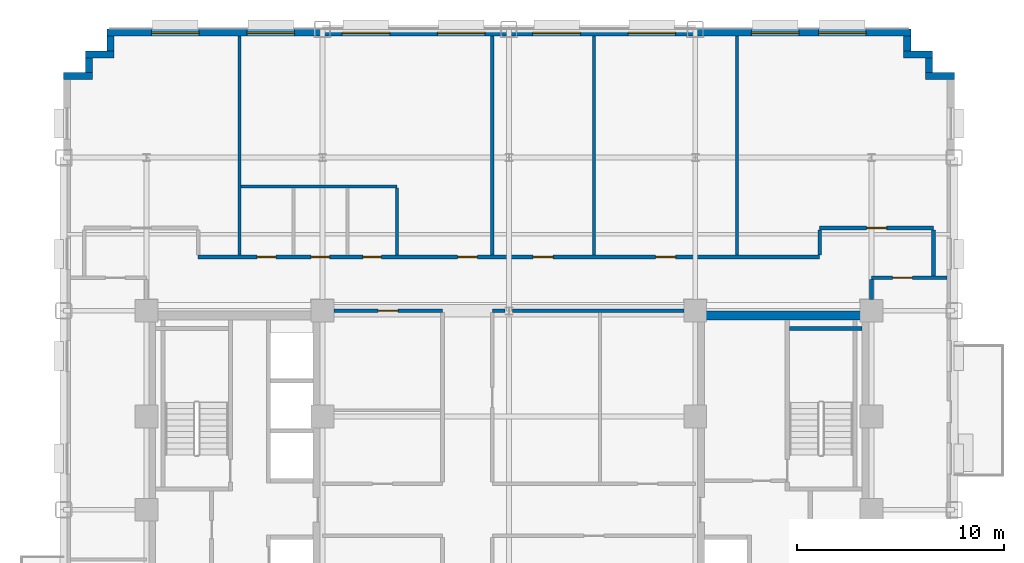
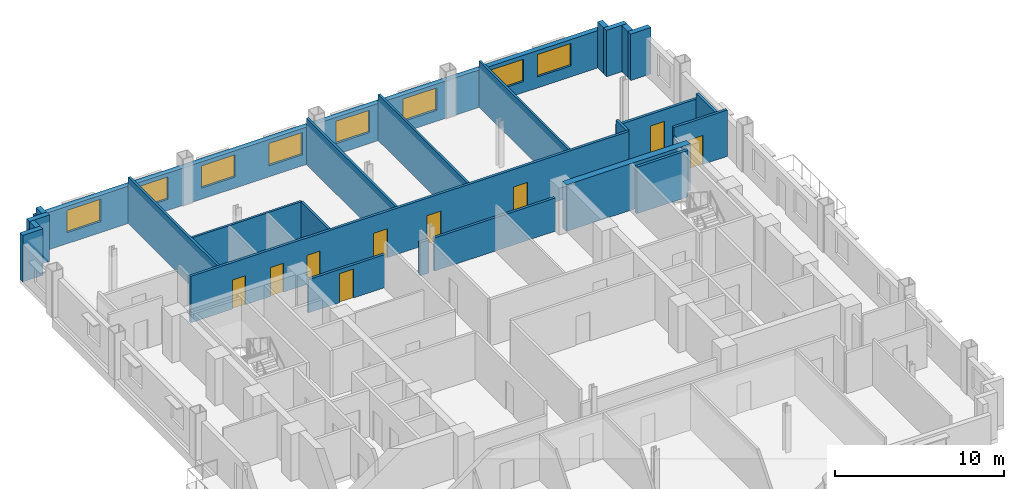
# One storey, part 9 of 14: 26 walls, 9 doors, 8 windows, 17 openings.
"""IFC4 building model written with IfcOpenShell, lengths in metres."""

from ifc_helpers import new_model, si_unit, direction, frame, frame_2d, origin, place, context, subcontext, project, spatial, rectangle, extrude, source, transform, mapped, material, layer, layer_set, type_object, type_shapes, element, fill, save


model = new_model("IFC4")

# Units and contexts
model_context = context("Model", 3, precision=1e-05, world=origin(), true_north=direction((0.0, 1.0)))
body_context = subcontext(model_context, "Body", "Model", "MODEL_VIEW")
ifc_project = project(units=[si_unit("LENGTHUNIT", "METRE"), si_unit("AREAUNIT", "SQUARE_METRE"), si_unit("VOLUMEUNIT", "CUBIC_METRE"), si_unit("PLANEANGLEUNIT", "RADIAN"), si_unit("MASSUNIT", "GRAM", prefix="KILO")], contexts=[model_context])

# Site, building, storey
site_placement = place(None, origin())
site = spatial("IfcSite", under=ifc_project, at=site_placement, CompositionType="ELEMENT")
building_placement = place(site_placement, origin())
building = spatial("IfcBuilding", under=site, at=building_placement, Name="Nuvemarco Arch Tower", CompositionType="ELEMENT")
storey_placement = place(building_placement, frame((0.0, 0.0, 71.39990234375)))
storey = spatial("IfcBuildingStorey", under=building, at=storey_placement, Name="L18", CompositionType="ELEMENT", Elevation=71.39990234375)

# Walls
ifc_material_1 = material(Name="Precast concrete C45/55", Category="concrete")
ifc_layer_1 = layer(ifc_material_1, 0.340087890625, Name="EW-LOW-340")
ifc_layer_set_1 = layer_set([ifc_layer_1], Name="Precast concrete C45/55")
wall_type_1 = type_object("IfcWallType", Name="EW-LOW-340", PredefinedType="STANDARD", material=ifc_layer_set_1)
wall_1_placement = place(storey_placement, frame((20.110107421875, 20.929931640625, 0.0), z_axis=(0.0, 0.0, 1.0), x_axis=(1.0, 0.0, 0.0)))
element("IfcWall", 1, at=wall_1_placement, inside=storey, type_object=wall_type_1, Name="L18 exterior precast facade wall 7", PredefinedType="STANDARD", context=body_context, shape_type="SweptSolid", body=[
    extrude(rectangle(XDim=1.389892578125, YDim=0.340087890625, at=frame_2d((0.69482421875, 0.0))), origin(), (0.0, 0.0, 1.0), 3.360107421875),
])
wall_2_placement = place(storey_placement, frame((20.280029296875, 21.095947265625, 0.0), z_axis=(0.0, 0.0, 1.0), x_axis=(0.0, 1.0, 0.0)))
element("IfcWall", 2, at=wall_2_placement, inside=storey, type_object=wall_type_1, Name="L18 exterior precast facade wall 8", PredefinedType="STANDARD", context=body_context, shape_type="SweptSolid", body=[
    extrude(rectangle(XDim=0.718017578125, YDim=0.340087890625, at=frame_2d((0.35888671875, 0.0))), origin(), (0.0, 0.0, 1.0), 3.360107421875),
])
wall_3_placement = place(storey_placement, frame((19.06005859375, 21.97998046875, 0.0), z_axis=(0.0, 0.0, 1.0), x_axis=(1.0, 0.0, 0.0)))
element("IfcWall", 3, at=wall_3_placement, inside=storey, type_object=wall_type_1, Name="L18 exterior precast facade wall 9", PredefinedType="STANDARD", context=body_context, shape_type="SweptSolid", body=[
    extrude(rectangle(XDim=1.389892578125, YDim=0.340087890625, at=frame_2d((0.69482421875, 0.0))), origin(), (0.0, 0.0, 1.0), 3.360107421875),
])
wall_4_placement = place(storey_placement, frame((19.22998046875, 22.14599609375, 0.0), z_axis=(0.0, 0.0, 1.0), x_axis=(0.0, 1.0, 0.0)))
element("IfcWall", 4, at=wall_4_placement, inside=storey, type_object=wall_type_1, Name="L18 exterior precast facade wall 10", PredefinedType="STANDARD", context=body_context, shape_type="SweptSolid", body=[
    extrude(rectangle(XDim=0.718017578125, YDim=0.340087890625, at=frame_2d((0.35888671875, 0.0))), origin(), (0.0, 0.0, 1.0), 3.360107421875),
])

# Wall, openings, windows
wall_5_placement = place(storey_placement, frame((-19.39990234375, 23.030029296875, 0.0), z_axis=(0.0, 0.0, 1.0), x_axis=(1.0, 0.0, 0.0)))
wall_5 = element("IfcWall", 5, at=wall_5_placement, inside=storey, type_object=wall_type_1, Name="L18 exterior precast facade wall 11", PredefinedType="STANDARD", context=body_context, shape_type="SweptSolid", body=[
    extrude(rectangle(XDim=38.7998046875, YDim=0.340087890625, at=frame_2d((19.39990234375, 0.0))), origin(), (0.0, 0.0, 1.0), 2.705078125),
])
opening_1_placement = place(wall_5_placement, frame((2.14990234375, 0.0, 0.800048828125)))
opening_1 = element("IfcOpeningElement", 6, at=opening_1_placement, cuts=wall_5, Name="Opening WN-10", PredefinedType="OPENING", context=body_context, shape_type="SweptSolid", body=[
    extrude(rectangle(XDim=2.300048828125, YDim=1.6201171875, at=frame_2d((1.14990234375, 0.81005859375))), frame((0.0, 0.179931640625, 0.0), z_axis=(0.0, -1.0, 0.0), x_axis=(1.0, 0.0, 0.0)), (0.0, 0.0, 1.0), 0.360107421875),
])
opening_2_placement = place(wall_5_placement, frame((6.75, 0.0, 0.800048828125)))
opening_2 = element("IfcOpeningElement", 7, at=opening_2_placement, cuts=wall_5, Name="Opening WN-10", PredefinedType="OPENING", context=body_context, shape_type="SweptSolid", body=[
    extrude(rectangle(XDim=2.300048828125, YDim=1.6201171875, at=frame_2d((1.14990234375, 0.81005859375))), frame((0.0, 0.179931640625, 0.0), z_axis=(0.0, -1.0, 0.0), x_axis=(1.0, 0.0, 0.0)), (0.0, 0.0, 1.0), 0.360107421875),
])
opening_3_placement = place(wall_5_placement, frame((11.35009765625, 0.0, 0.800048828125)))
opening_3 = element("IfcOpeningElement", 8, at=opening_3_placement, cuts=wall_5, Name="Opening WN-10", PredefinedType="OPENING", context=body_context, shape_type="SweptSolid", body=[
    extrude(rectangle(XDim=2.300048828125, YDim=1.6201171875, at=frame_2d((1.14990234375, 0.81005859375))), frame((0.0, 0.179931640625, 0.0), z_axis=(0.0, -1.0, 0.0), x_axis=(1.0, 0.0, 0.0)), (0.0, 0.0, 1.0), 0.360107421875),
])
opening_4_placement = place(wall_5_placement, frame((15.949951171875, 0.0, 0.800048828125)))
opening_4 = element("IfcOpeningElement", 9, at=opening_4_placement, cuts=wall_5, Name="Opening WN-10", PredefinedType="OPENING", context=body_context, shape_type="SweptSolid", body=[
    extrude(rectangle(XDim=2.300048828125, YDim=1.6201171875, at=frame_2d((1.14990234375, 0.81005859375))), frame((0.0, 0.179931640625, 0.0), z_axis=(0.0, -1.0, 0.0), x_axis=(1.0, 0.0, 0.0)), (0.0, 0.0, 1.0), 0.360107421875),
])
opening_5_placement = place(wall_5_placement, frame((20.550048828125, 0.0, 0.800048828125)))
opening_5 = element("IfcOpeningElement", 10, at=opening_5_placement, cuts=wall_5, Name="Opening WN-10", PredefinedType="OPENING", context=body_context, shape_type="SweptSolid", body=[
    extrude(rectangle(XDim=2.300048828125, YDim=1.6201171875, at=frame_2d((1.14990234375, 0.81005859375))), frame((0.0, 0.179931640625, 0.0), z_axis=(0.0, -1.0, 0.0), x_axis=(1.0, 0.0, 0.0)), (0.0, 0.0, 1.0), 0.360107421875),
])
opening_6_placement = place(wall_5_placement, frame((25.14990234375, 0.0, 0.800048828125)))
opening_6 = element("IfcOpeningElement", 11, at=opening_6_placement, cuts=wall_5, Name="Opening WN-10", PredefinedType="OPENING", context=body_context, shape_type="SweptSolid", body=[
    extrude(rectangle(XDim=2.300048828125, YDim=1.6201171875, at=frame_2d((1.14990234375, 0.81005859375))), frame((0.0, 0.179931640625, 0.0), z_axis=(0.0, -1.0, 0.0), x_axis=(1.0, 0.0, 0.0)), (0.0, 0.0, 1.0), 0.360107421875),
])
opening_7_placement = place(wall_5_placement, frame((31.10009765625, 0.0, 0.800048828125)))
opening_7 = element("IfcOpeningElement", 12, at=opening_7_placement, cuts=wall_5, Name="Opening WN-10", PredefinedType="OPENING", context=body_context, shape_type="SweptSolid", body=[
    extrude(rectangle(XDim=2.300048828125, YDim=1.6201171875, at=frame_2d((1.14990234375, 0.81005859375))), frame((0.0, 0.179931640625, 0.0), z_axis=(0.0, -1.0, 0.0), x_axis=(1.0, 0.0, 0.0)), (0.0, 0.0, 1.0), 0.360107421875),
])
opening_8_placement = place(wall_5_placement, frame((34.35009765625, 0.0, 0.800048828125)))
opening_8 = element("IfcOpeningElement", 13, at=opening_8_placement, cuts=wall_5, Name="Opening WN-10", PredefinedType="OPENING", context=body_context, shape_type="SweptSolid", body=[
    extrude(rectangle(XDim=2.300048828125, YDim=1.6201171875, at=frame_2d((1.14990234375, 0.81005859375))), frame((0.0, 0.179931640625, 0.0), z_axis=(0.0, -1.0, 0.0), x_axis=(1.0, 0.0, 0.0)), (0.0, 0.0, 1.0), 0.360107421875),
])
ifc_material_2 = material(Name="Insulated solar-control glass", Category="glass")
window_type = type_object("IfcWindowType", Name="WN-STEP-2300x1700", PartitioningType="DOUBLE_PANEL_VERTICAL", PredefinedType="WINDOW", material=ifc_material_2)
shared_shape_1 = source(origin(), body_context, "Body", "SweptSolid", [
    extrude(rectangle(XDim=2.300048828125, YDim=1.6201171875, at=frame_2d((1.14990234375, 0.81005859375))), frame((0.0, 0.030029296875, 0.0), z_axis=(0.0, -1.0, 0.0), x_axis=(1.0, 0.0, 0.0)), (0.0, 0.0, 1.0), 0.06005859375),
])
type_shapes(window_type, [shared_shape_1])
window_1_placement = place(opening_1_placement, origin())
window_1 = element("IfcWindow", 14, at=window_1_placement, inside=storey, type_object=window_type, Name="L18 punched facade window 1", OverallHeight=1.6201171875, OverallWidth=2.300048828125, PartitioningType="SINGLE_PANEL", PredefinedType="WINDOW", context=body_context, shape_type="MappedRepresentation", body=[
    mapped(shared_shape_1, transform((0.0, 0.0, 0.0), scale=1.0)),
])
fill(opening_1, window_1)
window_2_placement = place(opening_2_placement, origin())
window_2 = element("IfcWindow", 15, at=window_2_placement, inside=storey, type_object=window_type, Name="L18 punched facade window 2", OverallHeight=1.6201171875, OverallWidth=2.300048828125, PartitioningType="SINGLE_PANEL", PredefinedType="WINDOW", context=body_context, shape_type="MappedRepresentation", body=[
    mapped(shared_shape_1, transform((0.0, 0.0, 0.0), scale=1.0)),
])
fill(opening_2, window_2)
window_3_placement = place(opening_3_placement, origin())
window_3 = element("IfcWindow", 16, at=window_3_placement, inside=storey, type_object=window_type, Name="L18 punched facade window 3", OverallHeight=1.6201171875, OverallWidth=2.300048828125, PartitioningType="SINGLE_PANEL", PredefinedType="WINDOW", context=body_context, shape_type="MappedRepresentation", body=[
    mapped(shared_shape_1, transform((0.0, 0.0, 0.0), scale=1.0)),
])
fill(opening_3, window_3)
window_4_placement = place(opening_4_placement, origin())
window_4 = element("IfcWindow", 17, at=window_4_placement, inside=storey, type_object=window_type, Name="L18 punched facade window 4", OverallHeight=1.6201171875, OverallWidth=2.300048828125, PartitioningType="SINGLE_PANEL", PredefinedType="WINDOW", context=body_context, shape_type="MappedRepresentation", body=[
    mapped(shared_shape_1, transform((0.0, 0.0, 0.0), scale=1.0)),
])
fill(opening_4, window_4)
window_5_placement = place(opening_5_placement, origin())
window_5 = element("IfcWindow", 18, at=window_5_placement, inside=storey, type_object=window_type, Name="L18 punched facade window 5", OverallHeight=1.6201171875, OverallWidth=2.300048828125, PartitioningType="SINGLE_PANEL", PredefinedType="WINDOW", context=body_context, shape_type="MappedRepresentation", body=[
    mapped(shared_shape_1, transform((0.0, 0.0, 0.0), scale=1.0)),
])
fill(opening_5, window_5)
window_6_placement = place(opening_6_placement, origin())
window_6 = element("IfcWindow", 19, at=window_6_placement, inside=storey, type_object=window_type, Name="L18 punched facade window 6", OverallHeight=1.6201171875, OverallWidth=2.300048828125, PartitioningType="SINGLE_PANEL", PredefinedType="WINDOW", context=body_context, shape_type="MappedRepresentation", body=[
    mapped(shared_shape_1, transform((0.0, 0.0, 0.0), scale=1.0)),
])
fill(opening_6, window_6)
window_7_placement = place(opening_7_placement, origin())
window_7 = element("IfcWindow", 20, at=window_7_placement, inside=storey, type_object=window_type, Name="L18 punched facade window 7", OverallHeight=1.6201171875, OverallWidth=2.300048828125, PartitioningType="SINGLE_PANEL", PredefinedType="WINDOW", context=body_context, shape_type="MappedRepresentation", body=[
    mapped(shared_shape_1, transform((0.0, 0.0, 0.0), scale=1.0)),
])
fill(opening_7, window_7)
window_8_placement = place(opening_8_placement, origin())
window_8 = element("IfcWindow", 21, at=window_8_placement, inside=storey, type_object=window_type, Name="L18 punched facade window 8", OverallHeight=1.6201171875, OverallWidth=2.300048828125, PartitioningType="SINGLE_PANEL", PredefinedType="WINDOW", context=body_context, shape_type="MappedRepresentation", body=[
    mapped(shared_shape_1, transform((0.0, 0.0, 0.0), scale=1.0)),
])
fill(opening_8, window_8)

# Walls
wall_6_placement = place(storey_placement, frame((-19.22998046875, 22.14599609375, 0.0), z_axis=(0.0, 0.0, 1.0), x_axis=(0.0, 1.0, 0.0)))
element("IfcWall", 22, at=wall_6_placement, inside=storey, type_object=wall_type_1, Name="L18 exterior precast facade wall 12", PredefinedType="STANDARD", context=body_context, shape_type="SweptSolid", body=[
    extrude(rectangle(XDim=0.718017578125, YDim=0.340087890625, at=frame_2d((0.35888671875, 0.0))), origin(), (0.0, 0.0, 1.0), 3.360107421875),
])
wall_7_placement = place(storey_placement, frame((-20.449951171875, 21.97998046875, 0.0), z_axis=(0.0, 0.0, 1.0), x_axis=(1.0, 0.0, 0.0)))
element("IfcWall", 23, at=wall_7_placement, inside=storey, type_object=wall_type_1, Name="L18 exterior precast facade wall 13", PredefinedType="STANDARD", context=body_context, shape_type="SweptSolid", body=[
    extrude(rectangle(XDim=1.389892578125, YDim=0.340087890625, at=frame_2d((0.69482421875, 0.0))), origin(), (0.0, 0.0, 1.0), 3.360107421875),
])
wall_8_placement = place(storey_placement, frame((-20.280029296875, 21.095947265625, 0.0), z_axis=(0.0, 0.0, 1.0), x_axis=(0.0, 1.0, 0.0)))
element("IfcWall", 24, at=wall_8_placement, inside=storey, type_object=wall_type_1, Name="L18 exterior precast facade wall 14", PredefinedType="STANDARD", context=body_context, shape_type="SweptSolid", body=[
    extrude(rectangle(XDim=0.718017578125, YDim=0.340087890625, at=frame_2d((0.35888671875, 0.0))), origin(), (0.0, 0.0, 1.0), 3.360107421875),
])
wall_9_placement = place(storey_placement, frame((-21.5, 20.929931640625, 0.0), z_axis=(0.0, 0.0, 1.0), x_axis=(1.0, 0.0, 0.0)))
element("IfcWall", 25, at=wall_9_placement, inside=storey, type_object=wall_type_1, Name="L18 exterior precast facade wall 15", PredefinedType="STANDARD", context=body_context, shape_type="SweptSolid", body=[
    extrude(rectangle(XDim=1.389892578125, YDim=0.340087890625, at=frame_2d((0.69482421875, 0.0))), origin(), (0.0, 0.0, 1.0), 3.360107421875),
])
ifc_material_3 = material(Name="Concrete C60/75", Category="concrete")
ifc_layer_2 = layer(ifc_material_3, 0.449951171875, Name="WL-CORE-450")
ifc_layer_set_2 = layer_set([ifc_layer_2], Name="Concrete C60/75")
wall_type_2 = type_object("IfcWallType", Name="WL-CORE-450", PredefinedType="SHEAR", material=ifc_layer_set_2)
wall_10_placement = place(storey_placement, frame((9.0, 9.375, 0.0), z_axis=(0.0, 0.0, 1.0), x_axis=(1.0, 0.0, 0.0)))
element("IfcWall", 26, at=wall_10_placement, inside=storey, type_object=wall_type_2, Name="L18 E-core shear wall N", PredefinedType="SHEAR", context=body_context, shape_type="SweptSolid", body=[
    extrude(rectangle(XDim=8.5, YDim=0.449951171875, at=frame_2d((4.25, 0.0))), origin(), (0.0, 0.0, 1.0), 3.3701171875),
])

# Wall, opening, door
ifc_material_4 = material(Name="Fire-rated gypsum drywall partition")
ifc_layer_3 = layer(ifc_material_4, 0.179931640625, Name="WL-CORR-180")
ifc_layer_set_3 = layer_set([ifc_layer_3], Name="Fire-rated gypsum drywall partition")
wall_type_3 = type_object("IfcWallType", Name="WL-CORR-180", PredefinedType="PARTITIONING", material=ifc_layer_set_3)
wall_11_placement = place(storey_placement, frame((-8.4541015625, 9.60009765625, 0.0), z_axis=(0.0, 0.0, 1.0), x_axis=(1.0, 0.0, 0.0)))
wall_11 = element("IfcWall", 27, at=wall_11_placement, inside=storey, type_object=wall_type_3, Name="L18 interior wall IW-L18-015", PredefinedType="PARTITIONING", context=body_context, shape_type="SweptSolid", body=[
    extrude(rectangle(XDim=5.254150390625, YDim=0.179931640625, at=frame_2d((2.626953125, 0.0))), origin(), (0.0, 0.0, 1.0), 2.405029296875),
])
opening_9_placement = place(wall_11_placement, frame((2.14697265625, 0.0, 0.0)))
opening_9 = element("IfcOpeningElement", 28, at=opening_9_placement, cuts=wall_11, Name="Opening FD-5", PredefinedType="OPENING", context=body_context, shape_type="SweptSolid", body=[
    extrude(rectangle(XDim=0.9599609375, YDim=2.10009765625, at=frame_2d((0.47998046875, 1.050048828125))), frame((0.0, 0.099853515625, 0.0), z_axis=(0.0, -1.0, 0.0), x_axis=(1.0, 0.0, 0.0)), (0.0, 0.0, 1.0), 0.199951171875),
])
ifc_material_5 = material(Name="Timber fire door", Category="wood")
door_type_1 = type_object("IfcDoorType", Name="DR-CORR-FD", OperationType="NOTDEFINED", PredefinedType="DOOR", material=ifc_material_5)
shared_shape_2 = source(origin(), body_context, "Body", "SweptSolid", [
    extrude(rectangle(XDim=0.9599609375, YDim=2.10009765625, at=frame_2d((0.47998046875, 1.050048828125))), frame((0.0, 0.02490234375, 0.0), z_axis=(0.0, -1.0, 0.0), x_axis=(1.0, 0.0, 0.0)), (0.0, 0.0, 1.0), 0.050048828125),
])
type_shapes(door_type_1, [shared_shape_2])
door_1_placement = place(opening_9_placement, origin())
door_1 = element("IfcDoor", 29, at=door_1_placement, inside=storey, type_object=door_type_1, Name="L18 door DR-L18-C_NW2", OperationType="SINGLE_SWING_LEFT", OverallHeight=2.10009765625, OverallWidth=0.9599609375, PredefinedType="DOOR", context=body_context, shape_type="MappedRepresentation", body=[
    mapped(shared_shape_2, transform((0.0, 0.0, 0.0), scale=1.0)),
])
fill(opening_9, door_1)

# Walls
wall_12_placement = place(storey_placement, frame((-0.800048828125, 9.60009765625, 0.0), z_axis=(0.0, 0.0, 1.0), x_axis=(1.0, 0.0, 0.0)))
element("IfcWall", 30, at=wall_12_placement, inside=storey, type_object=wall_type_3, Name="L18 interior wall IW-L18-016", PredefinedType="PARTITIONING", context=body_context, shape_type="SweptSolid", body=[
    extrude(rectangle(XDim=0.6240234375, YDim=0.179931640625, at=frame_2d((0.31201171875, 0.0))), origin(), (0.0, 0.0, 1.0), 2.405029296875),
])
wall_13_placement = place(storey_placement, frame((0.176025390625, 9.60009765625, 0.0), z_axis=(0.0, 0.0, 1.0), x_axis=(1.0, 0.0, 0.0)))
element("IfcWall", 31, at=wall_13_placement, inside=storey, type_object=wall_type_3, Name="L18 interior wall IW-L18-017", PredefinedType="PARTITIONING", context=body_context, shape_type="SweptSolid", body=[
    extrude(rectangle(XDim=8.278076171875, YDim=0.179931640625, at=frame_2d((4.13916015625, 0.0))), origin(), (0.0, 0.0, 1.0), 2.405029296875),
])

# Wall, opening, door
wall_14_placement = place(storey_placement, frame((17.5, 11.199951171875, 0.0), z_axis=(0.0, 0.0, 1.0), x_axis=(1.0, 0.0, 0.0)))
wall_14 = element("IfcWall", 32, at=wall_14_placement, inside=storey, type_object=wall_type_3, Name="L18 interior wall IW-L18-019", PredefinedType="PARTITIONING", context=body_context, shape_type="SweptSolid", body=[
    extrude(rectangle(XDim=3.659912109375, YDim=0.179931640625, at=frame_2d((1.830078125, 0.0))), origin(), (0.0, 0.0, 1.0), 3.360107421875),
])
opening_10_placement = place(wall_14_placement, frame((1.02001953125, 0.0, 0.0)))
opening_10 = element("IfcOpeningElement", 33, at=opening_10_placement, cuts=wall_14, Name="Opening FD-5", PredefinedType="OPENING", context=body_context, shape_type="SweptSolid", body=[
    extrude(rectangle(XDim=0.9599609375, YDim=2.10009765625, at=frame_2d((0.47998046875, 1.050048828125))), frame((0.0, 0.099853515625, 0.0), z_axis=(0.0, -1.0, 0.0), x_axis=(1.0, 0.0, 0.0)), (0.0, 0.0, 1.0), 0.199951171875),
])
door_2_placement = place(opening_10_placement, origin())
door_2 = element("IfcDoor", 34, at=door_2_placement, inside=storey, type_object=door_type_1, Name="L18 door DR-L18-E_1", OperationType="SINGLE_SWING_LEFT", OverallHeight=2.10009765625, OverallWidth=0.9599609375, PredefinedType="DOOR", context=body_context, shape_type="MappedRepresentation", body=[
    mapped(shared_shape_2, transform((0.0, 0.0, 0.0), scale=1.0)),
])
fill(opening_10, door_2)

# Wall, openings, doors
wall_15_placement = place(storey_placement, frame((-15.0, 12.199951171875, 0.0), z_axis=(0.0, 0.0, 1.0), x_axis=(1.0, 0.0, 0.0)))
wall_15 = element("IfcWall", 35, at=wall_15_placement, inside=storey, type_object=wall_type_3, Name="L18 interior wall IW-L18-020", PredefinedType="PARTITIONING", context=body_context, shape_type="SweptSolid", body=[
    extrude(rectangle(XDim=30.0, YDim=0.179931640625, at=frame_2d((15.0, 0.0))), origin(), (0.0, 0.0, 1.0), 3.360107421875),
])
opening_11_placement = place(wall_15_placement, frame((22.0849609375, 0.0, 0.0)))
opening_11 = element("IfcOpeningElement", 36, at=opening_11_placement, cuts=wall_15, Name="Opening FD-5", PredefinedType="OPENING", context=body_context, shape_type="SweptSolid", body=[
    extrude(rectangle(XDim=0.9599609375, YDim=2.10009765625, at=frame_2d((0.47998046875, 1.050048828125))), frame((0.0, 0.099853515625, 0.0), z_axis=(0.0, -1.0, 0.0), x_axis=(1.0, 0.0, 0.0)), (0.0, 0.0, 1.0), 0.199951171875),
])
opening_12_placement = place(wall_15_placement, frame((16.175048828125, 0.0, 0.0)))
opening_12 = element("IfcOpeningElement", 37, at=opening_12_placement, cuts=wall_15, Name="Opening FD-5", PredefinedType="OPENING", context=body_context, shape_type="SweptSolid", body=[
    extrude(rectangle(XDim=0.9599609375, YDim=2.10009765625, at=frame_2d((0.47998046875, 1.050048828125))), frame((0.0, 0.099853515625, 0.0), z_axis=(0.0, -1.0, 0.0), x_axis=(1.0, 0.0, 0.0)), (0.0, 0.0, 1.0), 0.199951171875),
])
opening_13_placement = place(wall_15_placement, frame((5.449951171875, 0.0, 0.0)))
opening_13 = element("IfcOpeningElement", 38, at=opening_13_placement, cuts=wall_15, Name="Opening ID-3", PredefinedType="OPENING", context=body_context, shape_type="SweptSolid", body=[
    extrude(rectangle(XDim=0.89990234375, YDim=2.10009765625, at=frame_2d((0.449951171875, 1.050048828125))), frame((0.0, 0.099853515625, 0.0), z_axis=(0.0, -1.0, 0.0), x_axis=(1.0, 0.0, 0.0)), (0.0, 0.0, 1.0), 0.199951171875),
])
opening_14_placement = place(wall_15_placement, frame((2.85009765625, 0.0, 0.0)))
opening_14 = element("IfcOpeningElement", 39, at=opening_14_placement, cuts=wall_15, Name="Opening ID-3", PredefinedType="OPENING", context=body_context, shape_type="SweptSolid", body=[
    extrude(rectangle(XDim=0.89990234375, YDim=2.10009765625, at=frame_2d((0.449951171875, 1.050048828125))), frame((0.0, 0.099853515625, 0.0), z_axis=(0.0, -1.0, 0.0), x_axis=(1.0, 0.0, 0.0)), (0.0, 0.0, 1.0), 0.199951171875),
])
opening_15_placement = place(wall_15_placement, frame((12.52001953125, 0.0, 0.0)))
opening_15 = element("IfcOpeningElement", 40, at=opening_15_placement, cuts=wall_15, Name="Opening FD-5", PredefinedType="OPENING", context=body_context, shape_type="SweptSolid", body=[
    extrude(rectangle(XDim=0.9599609375, YDim=2.10009765625, at=frame_2d((0.47998046875, 1.050048828125))), frame((0.0, 0.099853515625, 0.0), z_axis=(0.0, -1.0, 0.0), x_axis=(1.0, 0.0, 0.0)), (0.0, 0.0, 1.0), 0.199951171875),
])
opening_16_placement = place(wall_15_placement, frame((7.949951171875, 0.0, 0.0)))
opening_16 = element("IfcOpeningElement", 41, at=opening_16_placement, cuts=wall_15, Name="Opening ID-3", PredefinedType="OPENING", context=body_context, shape_type="SweptSolid", body=[
    extrude(rectangle(XDim=0.89990234375, YDim=2.10009765625, at=frame_2d((0.449951171875, 1.050048828125))), frame((0.0, 0.099853515625, 0.0), z_axis=(0.0, -1.0, 0.0), x_axis=(1.0, 0.0, 0.0)), (0.0, 0.0, 1.0), 0.199951171875),
])
door_3_placement = place(opening_11_placement, origin())
door_3 = element("IfcDoor", 42, at=door_3_placement, inside=storey, type_object=door_type_1, Name="L18 door DR-L18-N_4", OperationType="SINGLE_SWING_LEFT", OverallHeight=2.10009765625, OverallWidth=0.9599609375, PredefinedType="DOOR", context=body_context, shape_type="MappedRepresentation", body=[
    mapped(shared_shape_2, transform((0.0, 0.0, 0.0), scale=1.0)),
])
fill(opening_11, door_3)
door_4_placement = place(opening_12_placement, origin())
door_4 = element("IfcDoor", 43, at=door_4_placement, inside=storey, type_object=door_type_1, Name="L18 door DR-L18-N_3", OperationType="SINGLE_SWING_RIGHT", OverallHeight=2.10009765625, OverallWidth=0.9599609375, PredefinedType="DOOR", context=body_context, shape_type="MappedRepresentation", body=[
    mapped(shared_shape_2, transform((0.0, 0.0, 0.0), scale=1.0)),
])
fill(opening_12, door_4)
door_5_placement = place(opening_15_placement, origin())
door_5 = element("IfcDoor", 44, at=door_5_placement, inside=storey, type_object=door_type_1, Name="L18 door DR-L18-N_2", OperationType="SINGLE_SWING_LEFT", OverallHeight=2.10009765625, OverallWidth=0.9599609375, PredefinedType="DOOR", context=body_context, shape_type="MappedRepresentation", body=[
    mapped(shared_shape_2, transform((0.0, 0.0, 0.0), scale=1.0)),
])
fill(opening_15, door_5)
ifc_material_6 = material(Name="Veneered oak timber fire door", Category="wood")
door_type_2 = type_object("IfcDoorType", Name="DR-WC-ACC", OperationType="NOTDEFINED", PredefinedType="DOOR", material=ifc_material_6)
shared_shape_3 = source(origin(), body_context, "Body", "SweptSolid", [
    extrude(rectangle(XDim=0.89990234375, YDim=2.10009765625, at=frame_2d((0.449951171875, 1.050048828125))), frame((0.0, 0.02490234375, 0.0), z_axis=(0.0, -1.0, 0.0), x_axis=(1.0, 0.0, 0.0)), (0.0, 0.0, 1.0), 0.050048828125),
])
type_shapes(door_type_2, [shared_shape_3])
door_6_placement = place(opening_13_placement, origin())
door_6 = element("IfcDoor", 45, at=door_6_placement, inside=storey, type_object=door_type_2, Name="L18 door DR-L18-WC_F", OperationType="SINGLE_SWING_LEFT", OverallHeight=2.10009765625, OverallWidth=0.89990234375, PredefinedType="DOOR", context=body_context, shape_type="MappedRepresentation", body=[
    mapped(shared_shape_3, transform((0.0, 0.0, 0.0), scale=1.0)),
])
fill(opening_13, door_6)
door_7_placement = place(opening_14_placement, origin())
door_7 = element("IfcDoor", 46, at=door_7_placement, inside=storey, type_object=door_type_2, Name="L18 door DR-L18-WC_M", OperationType="SINGLE_SWING_RIGHT", OverallHeight=2.10009765625, OverallWidth=0.89990234375, PredefinedType="DOOR", context=body_context, shape_type="MappedRepresentation", body=[
    mapped(shared_shape_3, transform((0.0, 0.0, 0.0), scale=1.0)),
])
fill(opening_14, door_7)
door_8_placement = place(opening_16_placement, origin())
door_8 = element("IfcDoor", 47, at=door_8_placement, inside=storey, type_object=door_type_2, Name="L18 door DR-L18-WC_ACC", OperationType="SINGLE_SWING_LEFT", OverallHeight=2.10009765625, OverallWidth=0.89990234375, PredefinedType="DOOR", context=body_context, shape_type="MappedRepresentation", body=[
    mapped(shared_shape_3, transform((0.0, 0.0, 0.0), scale=1.0)),
])
fill(opening_16, door_8)

# Wall, opening, door
wall_16_placement = place(storey_placement, frame((15.0, 13.60009765625, 0.0), z_axis=(0.0, 0.0, 1.0), x_axis=(1.0, 0.0, 0.0)))
wall_16 = element("IfcWall", 48, at=wall_16_placement, inside=storey, type_object=wall_type_3, Name="L18 interior wall IW-L18-022", PredefinedType="PARTITIONING", context=body_context, shape_type="SweptSolid", body=[
    extrude(rectangle(XDim=5.5, YDim=0.179931640625, at=frame_2d((2.75, 0.0))), origin(), (0.0, 0.0, 1.0), 2.942138671875),
])
opening_17_placement = place(wall_16_placement, frame((2.27001953125, 0.0, 0.0)))
opening_17 = element("IfcOpeningElement", 49, at=opening_17_placement, cuts=wall_16, Name="Opening FD-5", PredefinedType="OPENING", context=body_context, shape_type="SweptSolid", body=[
    extrude(rectangle(XDim=0.9599609375, YDim=2.10009765625, at=frame_2d((0.47998046875, 1.050048828125))), frame((0.0, 0.099853515625, 0.0), z_axis=(0.0, -1.0, 0.0), x_axis=(1.0, 0.0, 0.0)), (0.0, 0.0, 1.0), 0.199951171875),
])
door_9_placement = place(opening_17_placement, origin())
door_9 = element("IfcDoor", 50, at=door_9_placement, inside=storey, type_object=door_type_1, Name="L18 door DR-L18-N_5", OperationType="SINGLE_SWING_LEFT", OverallHeight=2.10009765625, OverallWidth=0.9599609375, PredefinedType="DOOR", context=body_context, shape_type="MappedRepresentation", body=[
    mapped(shared_shape_2, transform((0.0, 0.0, 0.0), scale=1.0)),
])
fill(opening_17, door_9)

# Walls
wall_17_placement = place(storey_placement, frame((15.0, 12.285888671875, 0.0), z_axis=(0.0, 0.0, 1.0), x_axis=(0.0, 1.0, 0.0)))
element("IfcWall", 51, at=wall_17_placement, inside=storey, type_object=wall_type_3, Name="L18 interior wall IW-L18-049", PredefinedType="PARTITIONING", context=body_context, shape_type="SweptSolid", body=[
    extrude(rectangle(XDim=1.22802734375, YDim=0.179931640625, at=frame_2d((0.614013671875, 0.0))), origin(), (0.0, 0.0, 1.0), 3.360107421875),
])
wall_18_placement = place(storey_placement, frame((17.5, 10.14599609375, 0.0), z_axis=(0.0, 0.0, 1.0), x_axis=(0.0, 1.0, 0.0)))
element("IfcWall", 52, at=wall_18_placement, inside=storey, type_object=wall_type_3, Name="L18 interior wall IW-L18-052", PredefinedType="PARTITIONING", context=body_context, shape_type="SweptSolid", body=[
    extrude(rectangle(XDim=0.968017578125, YDim=0.179931640625, at=frame_2d((0.48388671875, 0.0))), origin(), (0.0, 0.0, 1.0), 2.738037109375),
])
wall_19_placement = place(storey_placement, frame((20.5, 11.285888671875, 0.0), z_axis=(0.0, 0.0, 1.0), x_axis=(0.0, 1.0, 0.0)))
element("IfcWall", 53, at=wall_19_placement, inside=storey, type_object=wall_type_3, Name="L18 interior wall IW-L18-054", PredefinedType="PARTITIONING", context=body_context, shape_type="SweptSolid", body=[
    extrude(rectangle(XDim=2.22802734375, YDim=0.179931640625, at=frame_2d((1.114013671875, 0.0))), origin(), (0.0, 0.0, 1.0), 3.360107421875),
])
ifc_material_7 = material(Name="Gypsum plasterboard partition")
ifc_layer_4 = layer(ifc_material_7, 0.139892578125, Name="WL-ROOM-140")
ifc_layer_set_4 = layer_set([ifc_layer_4], Name="Gypsum plasterboard partition")
wall_type_4 = type_object("IfcWallType", Name="WL-ROOM-140", PredefinedType="PARTITIONING", material=ifc_layer_set_4)
for number, where, z_axis, x_axis, name in (
    (54, (4.110107421875, 12.285888671875, 0.0), (0.0, 0.0, 1.0), (0.0, 1.0, 0.0), "L18 interior wall IW-L18-043"),
    (55, (11.02001953125, 12.285888671875, 0.0), (0.0, 0.0, 1.0), (0.0, 1.0, 0.0), "L18 interior wall IW-L18-046"),
):
    element("IfcWall", number, at=place(storey_placement, frame(where, z_axis=z_axis, x_axis=x_axis)), inside=storey, type_object=wall_type_4, Name=name, PredefinedType="PARTITIONING", context=body_context, shape_type="SweptSolid", body=[
        extrude(rectangle(XDim=10.57421875, YDim=0.139892578125, at=frame_2d((5.287109375, 0.0))), origin(), (0.0, 0.0, 1.0), 3.360107421875),
    ])
ifc_material_8 = material(Name="Concrete C50/60", Category="concrete")
ifc_layer_5 = layer(ifc_material_8, 0.199951171875, Name="WL-SHAFT-220")
ifc_layer_set_5 = layer_set([ifc_layer_5], Name="Concrete C50/60")
wall_type_5 = type_object("IfcWallType", Name="WL-SHAFT-220", PredefinedType="SHEAR", material=ifc_layer_set_5)
wall_20_placement = place(storey_placement, frame((13.534912109375, 8.75, 0.0), z_axis=(0.0, 0.0, 1.0), x_axis=(1.0, 0.0, 0.0)))
element("IfcWall", 56, at=wall_20_placement, inside=storey, type_object=wall_type_5, Name="L18 structural shaft wall SW-L18-E-ST2N", PredefinedType="SHEAR", context=body_context, shape_type="SweptSolid", body=[
    extrude(rectangle(XDim=3.52001953125, YDim=0.199951171875, at=frame_2d((1.760009765625, 0.0))), origin(), (0.0, 0.0, 1.0), 3.3701171875),
])
ifc_material_9 = material(Name="Acoustic gypsum drywall partition")
ifc_layer_6 = layer(ifc_material_9, 0.159912109375, Name="WL-TENANT-160")
ifc_layer_set_6 = layer_set([ifc_layer_6], Name="Acoustic gypsum drywall partition")
wall_type_6 = type_object("IfcWallType", Name="WL-TENANT-160", PredefinedType="PARTITIONING", material=ifc_layer_set_6)
for number, where, z_axis, x_axis, name in (
    (57, (-13.0, 12.285888671875, 0.0), (0.0, 0.0, 1.0), (0.0, 1.0, 0.0), "L18 interior wall IW-L18-031"),
    (58, (-0.800048828125, 12.285888671875, 0.0), (0.0, 0.0, 1.0), (0.0, 1.0, 0.0), "L18 interior wall IW-L18-042"),
):
    element("IfcWall", number, at=place(storey_placement, frame(where, z_axis=z_axis, x_axis=x_axis)), inside=storey, type_object=wall_type_6, Name=name, PredefinedType="PARTITIONING", context=body_context, shape_type="SweptSolid", body=[
        extrude(rectangle(XDim=10.57421875, YDim=0.159912109375, at=frame_2d((5.287109375, 0.0))), origin(), (0.0, 0.0, 1.0), 3.360107421875),
    ])
ifc_material_10 = material(Name="Moisture-resistant gypsum partition")
ifc_layer_7 = layer(ifc_material_10, 0.14990234375, Name="WL-WET-150")
ifc_layer_set_7 = layer_set([ifc_layer_7], Name="Moisture-resistant gypsum partition")
wall_type_7 = type_object("IfcWallType", Name="WL-WET-150", PredefinedType="PARTITIONING", material=ifc_layer_set_7)
wall_21_placement = place(storey_placement, frame((-12.928955078125, 15.60009765625, 0.0), z_axis=(0.0, 0.0, 1.0), x_axis=(1.0, 0.0, 0.0)))
element("IfcWall", 59, at=wall_21_placement, inside=storey, type_object=wall_type_7, Name="L18 interior wall IW-L18-023", PredefinedType="PARTITIONING", context=body_context, shape_type="SweptSolid", body=[
    extrude(rectangle(XDim=7.529052734375, YDim=0.14990234375, at=frame_2d((3.7646484375, 0.0))), origin(), (0.0, 0.0, 1.0), 3.360107421875),
])
wall_22_placement = place(storey_placement, frame((-5.39990234375, 12.285888671875, 0.0), z_axis=(0.0, 0.0, 1.0), x_axis=(0.0, 1.0, 0.0)))
element("IfcWall", 60, at=wall_22_placement, inside=storey, type_object=wall_type_7, Name="L18 interior wall IW-L18-035", PredefinedType="PARTITIONING", context=body_context, shape_type="SweptSolid", body=[
    extrude(rectangle(XDim=3.2431640625, YDim=0.14990234375, at=frame_2d((1.62158203125, 0.0))), origin(), (0.0, 0.0, 1.0), 3.360107421875),
])

save(model, "model.ifc")
